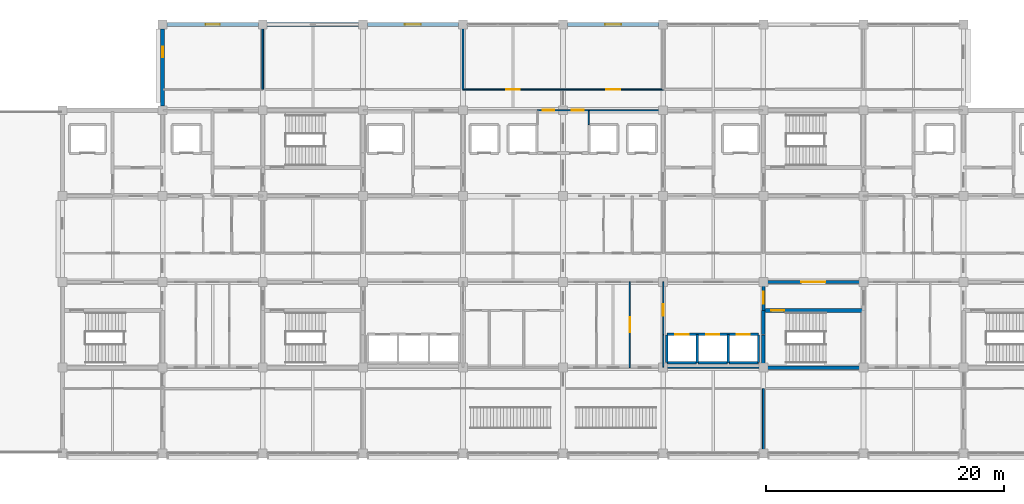
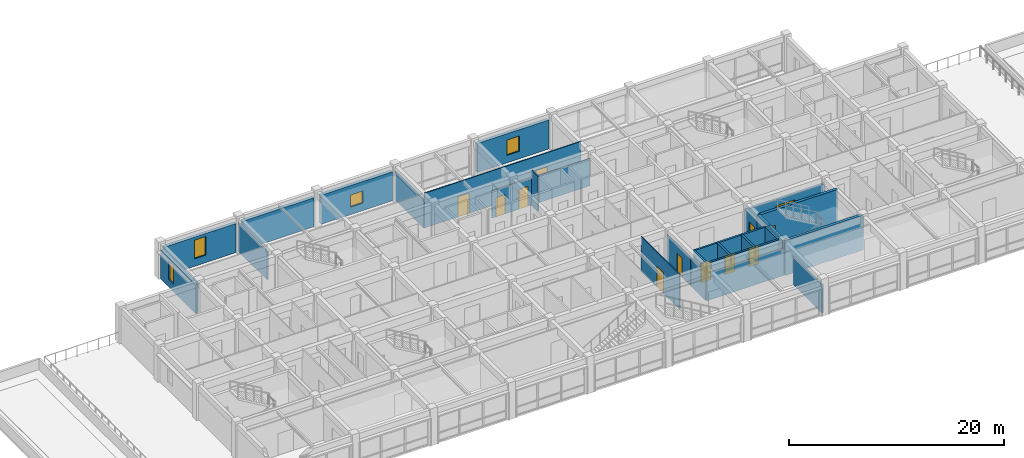
# One storey, part 19 of 27: 30 walls, 12 doors, 4 windows, 16 openings.
"""IFC4 building model written with IfcOpenShell, lengths in metres."""

from ifc_helpers import new_model, si_unit, direction, frame, frame_2d, origin, place, context, subcontext, project, spatial, rectangle, extrude, material, layer, layer_set, type_object, element, fill, save


model = new_model("IFC4")

# Units and contexts
model_context = context("Model", 3, precision=1e-05, world=origin(), true_north=direction((0.0, 1.0)))
body_context = subcontext(model_context, "Body", "Model", "MODEL_VIEW")
ifc_project = project(units=[si_unit("LENGTHUNIT", "METRE"), si_unit("AREAUNIT", "SQUARE_METRE"), si_unit("VOLUMEUNIT", "CUBIC_METRE"), si_unit("PLANEANGLEUNIT", "RADIAN"), si_unit("MASSUNIT", "GRAM", prefix="KILO")], contexts=[model_context])

# Site, building, storey
site_placement = place(None, origin())
site = spatial("IfcSite", under=ifc_project, at=site_placement, CompositionType="ELEMENT")
building_placement = place(site_placement, origin())
building = spatial("IfcBuilding", under=site, at=building_placement, Name="Chengyuan Square Courthouse", CompositionType="ELEMENT")
storey_placement = place(building_placement, frame((0.0, 0.0, 35.10009765625)))
storey = spatial("IfcBuildingStorey", under=building, at=storey_placement, Name="L08", CompositionType="ELEMENT", Elevation=35.10009765625)

# Wall, opening, window
ifc_material_1 = material(Name="Concrete C40", Category="concrete")
ifc_layer_1 = layer(ifc_material_1, 0.35009765625)
ifc_layer_set_1 = layer_set([ifc_layer_1], Name="Concrete C40")
wall_type_1 = type_object("IfcWallType", Name="WL-EW2", PredefinedType="STANDARD", material=ifc_layer_set_1)
wall_1_placement = place(storey_placement, frame((50.77001953125, 115.199951171875, 0.0), z_axis=(0.0, 0.0, 1.0), x_axis=(1.0, 0.0, 0.0)))
wall_1 = element("IfcWall", 1, at=wall_1_placement, inside=storey, type_object=wall_type_1, Name="Exterior Wall WL-L08-E400", PredefinedType="STANDARD", context=body_context, shape_type="SweptSolid", body=[
    extrude(rectangle(XDim=7.659912109375, YDim=0.35009765625, at=frame_2d((3.830078125, 0.0))), origin(), (0.0, 0.0, 1.0), 3.2998046875),
])
opening_1_placement = place(wall_1_placement, frame((3.22998046875, 0.0, 0.85009765625)))
opening_1 = element("IfcOpeningElement", 2, at=opening_1_placement, cuts=wall_1, Name="Opening WN-154", PredefinedType="OPENING", context=body_context, shape_type="SweptSolid", body=[
    extrude(rectangle(XDim=1.199951171875, YDim=2.1201171875, at=frame_2d((0.60009765625, 1.06005859375))), frame((0.0, 0.18701171875, 0.0), z_axis=(0.0, -1.0, 0.0), x_axis=(1.0, 0.0, 0.0)), (0.0, 0.0, 1.0), 0.3740234375),
])
ifc_material_2 = material(Name="Thermally Broken Aluminium Triple Low-E Window", Category="aluminium")
window_type_1 = type_object("IfcWindowType", Name="WT-18", PartitioningType="SINGLE_PANEL", PredefinedType="WINDOW", material=ifc_material_2)
window_1_placement = place(opening_1_placement, origin())
window_1 = element("IfcWindow", 3, at=window_1_placement, inside=storey, type_object=window_type_1, Name="Facade Window WN-154", OverallHeight=2.1201171875, OverallWidth=1.199951171875, PartitioningType="SINGLE_PANEL", PredefinedType="WINDOW", context=body_context, shape_type="SweptSolid", body=[
    extrude(rectangle(XDim=1.199951171875, YDim=2.1201171875, at=frame_2d((0.60009765625, 1.06005859375))), frame((0.0, 0.030029296875, 0.0), z_axis=(0.0, -1.0, 0.0), x_axis=(1.0, 0.0, 0.0)), (0.0, 0.0, 1.0), 0.06005859375),
])
fill(opening_1, window_1)

wall_2_placement = place(storey_placement, frame((50.39990234375, 108.3701171875, 0.0), z_axis=(0.0, 0.0, 1.0), x_axis=(0.0, 1.0, 0.0)))
wall_2 = element("IfcWall", 4, at=wall_2_placement, inside=storey, type_object=wall_type_1, Name="Exterior Wall WL-L08-E401", PredefinedType="STANDARD", context=body_context, shape_type="SweptSolid", body=[
    extrude(rectangle(XDim=6.4599609375, YDim=0.35009765625, at=frame_2d((3.22998046875, 0.0))), origin(), (0.0, 0.0, 1.0), 3.2998046875),
])
opening_2_placement = place(wall_2_placement, frame((4.080078125, 0.0, 0.85009765625)))
opening_2 = element("IfcOpeningElement", 5, at=opening_2_placement, cuts=wall_2, Name="Opening WN-155", PredefinedType="OPENING", context=body_context, shape_type="SweptSolid", body=[
    extrude(rectangle(XDim=0.89990234375, YDim=2.1201171875, at=frame_2d((0.449951171875, 1.06005859375))), frame((0.0, 0.18701171875, 0.0), z_axis=(0.0, -1.0, 0.0), x_axis=(1.0, 0.0, 0.0)), (0.0, 0.0, 1.0), 0.3740234375),
])
window_type_2 = type_object("IfcWindowType", Name="WT-06", PartitioningType="SINGLE_PANEL", PredefinedType="WINDOW", material=ifc_material_2)
window_2_placement = place(opening_2_placement, origin())
window_2 = element("IfcWindow", 6, at=window_2_placement, inside=storey, type_object=window_type_2, Name="Facade Window WN-155", OverallHeight=2.1201171875, OverallWidth=0.89990234375, PartitioningType="SINGLE_PANEL", PredefinedType="WINDOW", context=body_context, shape_type="SweptSolid", body=[
    extrude(rectangle(XDim=0.89990234375, YDim=2.1201171875, at=frame_2d((0.449951171875, 1.06005859375))), frame((0.0, 0.030029296875, 0.0), z_axis=(0.0, -1.0, 0.0), x_axis=(1.0, 0.0, 0.0)), (0.0, 0.0, 1.0), 0.06005859375),
])
fill(opening_2, window_2)

# Wall
wall_3_placement = place(storey_placement, frame((59.169921875, 115.199951171875, 0.0), z_axis=(0.0, 0.0, 1.0), x_axis=(1.0, 0.0, 0.0)))
element("IfcWall", 7, at=wall_3_placement, inside=storey, type_object=wall_type_1, Name="Exterior Wall WL-L08-E402", PredefinedType="STANDARD", context=body_context, shape_type="SweptSolid", body=[
    extrude(rectangle(XDim=7.66015625, YDim=0.35009765625, at=frame_2d((3.830078125, 0.0))), origin(), (0.0, 0.0, 1.0), 3.2998046875),
])

# Wall, opening, window
wall_4_placement = place(storey_placement, frame((67.570068359375, 115.199951171875, 0.0), z_axis=(0.0, 0.0, 1.0), x_axis=(1.0, 0.0, 0.0)))
wall_4 = element("IfcWall", 8, at=wall_4_placement, inside=storey, type_object=wall_type_1, Name="Exterior Wall WL-L08-E403", PredefinedType="STANDARD", context=body_context, shape_type="SweptSolid", body=[
    extrude(rectangle(XDim=7.659912109375, YDim=0.35009765625, at=frame_2d((3.830078125, 0.0))), origin(), (0.0, 0.0, 1.0), 3.2998046875),
])
opening_3_placement = place(wall_4_placement, frame((3.155029296875, 0.0, 0.85009765625)))
opening_3 = element("IfcOpeningElement", 9, at=opening_3_placement, cuts=wall_4, Name="Opening WN-156", PredefinedType="OPENING", context=body_context, shape_type="SweptSolid", body=[
    extrude(rectangle(XDim=1.35009765625, YDim=1.3798828125, at=frame_2d((0.675048828125, 0.68994140625))), frame((0.0, 0.18701171875, 0.0), z_axis=(0.0, -1.0, 0.0), x_axis=(1.0, 0.0, 0.0)), (0.0, 0.0, 1.0), 0.3740234375),
])
window_type_3 = type_object("IfcWindowType", Name="WT-20", PartitioningType="SINGLE_PANEL", PredefinedType="WINDOW", material=ifc_material_2)
window_3_placement = place(opening_3_placement, origin())
window_3 = element("IfcWindow", 10, at=window_3_placement, inside=storey, type_object=window_type_3, Name="Facade Window WN-156", OverallHeight=1.3798828125, OverallWidth=1.35009765625, PartitioningType="SINGLE_PANEL", PredefinedType="WINDOW", context=body_context, shape_type="SweptSolid", body=[
    extrude(rectangle(XDim=1.35009765625, YDim=1.3798828125, at=frame_2d((0.675048828125, 0.68994140625))), frame((0.0, 0.030029296875, 0.0), z_axis=(0.0, -1.0, 0.0), x_axis=(1.0, 0.0, 0.0)), (0.0, 0.0, 1.0), 0.06005859375),
])
fill(opening_3, window_3)

wall_5_placement = place(storey_placement, frame((84.3701171875, 115.199951171875, 0.0), z_axis=(0.0, 0.0, 1.0), x_axis=(1.0, 0.0, 0.0)))
wall_5 = element("IfcWall", 11, at=wall_5_placement, inside=storey, type_object=wall_type_1, Name="Exterior Wall WL-L08-E404", PredefinedType="STANDARD", context=body_context, shape_type="SweptSolid", body=[
    extrude(rectangle(XDim=7.659912109375, YDim=0.35009765625, at=frame_2d((3.830078125, 0.0))), origin(), (0.0, 0.0, 1.0), 3.2998046875),
])
opening_4_placement = place(wall_5_placement, frame((3.155029296875, 0.0, 0.85009765625)))
opening_4 = element("IfcOpeningElement", 12, at=opening_4_placement, cuts=wall_5, Name="Opening WN-157", PredefinedType="OPENING", context=body_context, shape_type="SweptSolid", body=[
    extrude(rectangle(XDim=1.35009765625, YDim=1.739990234375, at=frame_2d((0.675048828125, 0.8701171875))), frame((0.0, 0.18701171875, 0.0), z_axis=(0.0, -1.0, 0.0), x_axis=(1.0, 0.0, 0.0)), (0.0, 0.0, 1.0), 0.3740234375),
])
window_type_4 = type_object("IfcWindowType", Name="WT-22", PartitioningType="SINGLE_PANEL", PredefinedType="WINDOW", material=ifc_material_2)
window_4_placement = place(opening_4_placement, origin())
window_4 = element("IfcWindow", 13, at=window_4_placement, inside=storey, type_object=window_type_4, Name="Facade Window WN-157", OverallHeight=1.739990234375, OverallWidth=1.35009765625, PartitioningType="SINGLE_PANEL", PredefinedType="WINDOW", context=body_context, shape_type="SweptSolid", body=[
    extrude(rectangle(XDim=1.35009765625, YDim=1.739990234375, at=frame_2d((0.675048828125, 0.8701171875))), frame((0.0, 0.030029296875, 0.0), z_axis=(0.0, -1.0, 0.0), x_axis=(1.0, 0.0, 0.0)), (0.0, 0.0, 1.0), 0.06005859375),
])
fill(opening_4, window_4)

# Wall, opening, door
ifc_layer_2 = layer(ifc_material_1, 0.25)
ifc_layer_set_2 = layer_set([ifc_layer_2], Name="Concrete C40")
wall_type_2 = type_object("IfcWallType", Name="WL-FW1", PredefinedType="STANDARD", material=ifc_layer_set_2)
wall_6_placement = place(storey_placement, frame((100.800048828125, 93.60009765625, 0.0), z_axis=(0.0, 0.0, 1.0), x_axis=(1.0, 0.0, 0.0)))
wall_6 = element("IfcWall", 14, at=wall_6_placement, inside=storey, type_object=wall_type_2, Name="Interior Wall WL-L08-I2905", PredefinedType="STANDARD", context=body_context, shape_type="SweptSolid", body=[
    extrude(rectangle(XDim=8.39990234375, YDim=0.25, at=frame_2d((4.199951171875, 0.0))), origin(), (0.0, 0.0, 1.0), 3.099853515625),
])
opening_5_placement = place(wall_6_placement, frame((3.199951171875, 0.0, 0.0)))
opening_5 = element("IfcOpeningElement", 15, at=opening_5_placement, cuts=wall_6, Name="Opening DR-2511", PredefinedType="OPENING", context=body_context, shape_type="SweptSolid", body=[
    extrude(rectangle(XDim=2.0, YDim=2.39990234375, at=frame_2d((1.0, 1.199951171875))), frame((0.0, 0.136962890625, 0.0), z_axis=(0.0, -1.0, 0.0), x_axis=(1.0, 0.0, 0.0)), (0.0, 0.0, 1.0), 0.27392578125),
])
ifc_material_3 = material(Name="Steel Q235B Glazed Fire Door", Category="steel")
door_type_1 = type_object("IfcDoorType", Name="DT-20", OperationType="DOUBLE_DOOR_SINGLE_SWING", PredefinedType="DOOR", material=ifc_material_3)
door_1_placement = place(opening_5_placement, frame((2.0, 0.0, 0.0), z_axis=(0.0, 0.0, 1.0), x_axis=(-1.0, 0.0, 0.0)))
door_1 = element("IfcDoor", 16, at=door_1_placement, inside=storey, type_object=door_type_1, Name="Interior Door DR-2511", OperationType="DOUBLE_DOOR_SINGLE_SWING", OverallHeight=2.39990234375, OverallWidth=2.0, PredefinedType="DOOR", context=body_context, shape_type="SweptSolid", body=[
    extrude(rectangle(XDim=2.0, YDim=2.39990234375, at=frame_2d((1.0, 1.199951171875))), frame((0.0, 0.02490234375, 0.0), z_axis=(0.0, -1.0, 0.0), x_axis=(1.0, 0.0, 0.0)), (0.0, 0.0, 1.0), 0.050048828125),
])
fill(opening_5, door_1)

wall_7_placement = place(storey_placement, frame((100.800048828125, 91.199951171875, 0.0), z_axis=(0.0, 0.0, 1.0), x_axis=(0.0, 1.0, 0.0)))
wall_7 = element("IfcWall", 17, at=wall_7_placement, inside=storey, type_object=wall_type_2, Name="Interior Wall WL-L08-I3057", PredefinedType="STANDARD", context=body_context, shape_type="SweptSolid", body=[
    extrude(rectangle(XDim=2.400146484375, YDim=0.25, at=frame_2d((1.2001953125, 0.0))), origin(), (0.0, 0.0, 1.0), 3.199951171875),
])
opening_6_placement = place(wall_7_placement, frame((0.552490234375, 0.0, 0.0)))
opening_6 = element("IfcOpeningElement", 18, at=opening_6_placement, cuts=wall_7, Name="Opening DR-2510", PredefinedType="OPENING", context=body_context, shape_type="SweptSolid", body=[
    extrude(rectangle(XDim=1.0, YDim=2.199951171875, at=frame_2d((0.5, 1.10009765625))), frame((0.0, 0.136962890625, 0.0), z_axis=(0.0, -1.0, 0.0), x_axis=(1.0, 0.0, 0.0)), (0.0, 0.0, 1.0), 0.27392578125),
])
ifc_material_4 = material(Name="Steel Q235B Fire Door", Category="steel")
door_type_2 = type_object("IfcDoorType", Name="DT-11", OperationType="NOTDEFINED", PredefinedType="DOOR", material=ifc_material_4)
door_2_placement = place(opening_6_placement, origin())
door_2 = element("IfcDoor", 19, at=door_2_placement, inside=storey, type_object=door_type_2, Name="Interior Door DR-2510", OperationType="SINGLE_SWING_LEFT", OverallHeight=2.199951171875, OverallWidth=1.0, PredefinedType="DOOR", context=body_context, shape_type="SweptSolid", body=[
    extrude(rectangle(XDim=1.0, YDim=2.199951171875, at=frame_2d((0.5, 1.10009765625))), frame((0.0, 0.02490234375, 0.0), z_axis=(0.0, -1.0, 0.0), x_axis=(1.0, 0.0, 0.0)), (0.0, 0.0, 1.0), 0.050048828125),
])
fill(opening_6, door_2)

# Walls
ifc_material_5 = material(Name="Acoustic Timber-Lined Gypsum Partition", Category="wood")
ifc_layer_3 = layer(ifc_material_5, 0.159912109375)
ifc_layer_set_3 = layer_set([ifc_layer_3], Name="Acoustic Timber-Lined Gypsum Partition")
wall_type_3 = type_object("IfcWallType", Name="WL-PT2", PredefinedType="STANDARD", material=ifc_layer_set_3)
for number, where, z_axis, x_axis, name in (
    (20, (58.800048828125, 109.75, 0.0), (0.0, 0.0, 1.0), (0.0, 1.0, 0.0), "Interior Wall WL-L08-I2999"),
    (21, (75.60009765625, 109.75, 0.0), (0.0, 0.0, 1.0), (0.0, 1.0, 0.0), "Interior Wall WL-L08-I3022"),
    (22, (100.800048828125, 79.239990234375, 0.0), (0.0, 0.0, 1.0), (0.0, 1.0, 0.0), "Interior Wall WL-L08-I3054"),
):
    element("IfcWall", number, at=place(storey_placement, frame(where, z_axis=z_axis, x_axis=x_axis)), inside=storey, type_object=wall_type_3, Name=name, PredefinedType="STANDARD", context=body_context, shape_type="SweptSolid", body=[
        extrude(rectangle(XDim=5.409912109375, YDim=0.159912109375, at=frame_2d((2.705078125, 0.0))), origin(), (0.0, 0.0, 1.0), 3.199951171875),
    ])
ifc_material_6 = material(Name="Gypsum Plasterboard Acoustic Stud Partition")
ifc_layer_4 = layer(ifc_material_6, 0.10009765625)
ifc_layer_set_4 = layer_set([ifc_layer_4], Name="Gypsum Plasterboard Acoustic Stud Partition")
wall_type_4 = type_object("IfcWallType", Name="WL-PT6", PredefinedType="STANDARD", material=ifc_layer_set_4)
wall_8_placement = place(storey_placement, frame((92.449951171875, 86.39990234375, 0.0), z_axis=(0.0, 0.0, 1.0), x_axis=(1.0, 0.0, 0.0)))
element("IfcWall", 23, at=wall_8_placement, inside=storey, type_object=wall_type_4, Name="Interior Wall WL-L08-I2884", PredefinedType="STANDARD", context=body_context, shape_type="SweptSolid", body=[
    extrude(rectangle(XDim=8.300048828125, YDim=0.10009765625, at=frame_2d((4.14990234375, 0.0))), origin(), (0.0, 0.0, 1.0), 3.099853515625),
])

# Wall, openings, doors
wall_9_placement = place(storey_placement, frame((81.85009765625, 108.0, 0.0), z_axis=(0.0, 0.0, 1.0), x_axis=(1.0, 0.0, 0.0)))
wall_9 = element("IfcWall", 24, at=wall_9_placement, inside=storey, type_object=wall_type_4, Name="Interior Wall WL-L08-I2966", PredefinedType="STANDARD", context=body_context, shape_type="SweptSolid", body=[
    extrude(rectangle(XDim=4.2998046875, YDim=0.10009765625, at=frame_2d((2.14990234375, 0.0))), origin(), (0.0, 0.0, 1.0), 3.099853515625),
])
opening_7_placement = place(wall_9_placement, frame((0.447509765625, 0.0, 0.0)))
opening_7 = element("IfcOpeningElement", 25, at=opening_7_placement, cuts=wall_9, Name="Opening DR-2613", PredefinedType="OPENING", context=body_context, shape_type="SweptSolid", body=[
    extrude(rectangle(XDim=0.9599609375, YDim=2.199951171875, at=frame_2d((0.47998046875, 1.10009765625))), frame((0.0, 0.06201171875, 0.0), z_axis=(0.0, -1.0, 0.0), x_axis=(1.0, 0.0, 0.0)), (0.0, 0.0, 1.0), 0.1240234375),
])
opening_8_placement = place(wall_9_placement, frame((2.87255859375, 0.0, 0.0)))
opening_8 = element("IfcOpeningElement", 26, at=opening_8_placement, cuts=wall_9, Name="Opening DR-2614", PredefinedType="OPENING", context=body_context, shape_type="SweptSolid", body=[
    extrude(rectangle(XDim=1.0, YDim=2.25, at=frame_2d((0.5, 1.125))), frame((0.0, 0.06201171875, 0.0), z_axis=(0.0, -1.0, 0.0), x_axis=(1.0, 0.0, 0.0)), (0.0, 0.0, 1.0), 0.1240234375),
])
ifc_material_7 = material(Name="Acoustic Solid-Core Timber Door", Category="wood")
door_type_3 = type_object("IfcDoorType", Name="DT-30", OperationType="NOTDEFINED", PredefinedType="DOOR", material=ifc_material_7)
door_3_placement = place(opening_7_placement, origin())
door_3 = element("IfcDoor", 27, at=door_3_placement, inside=storey, type_object=door_type_3, Name="Interior Door DR-2613", OperationType="SINGLE_SWING_RIGHT", OverallHeight=2.199951171875, OverallWidth=0.9599609375, PredefinedType="DOOR", context=body_context, shape_type="SweptSolid", body=[
    extrude(rectangle(XDim=0.9599609375, YDim=2.199951171875, at=frame_2d((0.47998046875, 1.10009765625))), frame((0.0, 0.02490234375, 0.0), z_axis=(0.0, -1.0, 0.0), x_axis=(1.0, 0.0, 0.0)), (0.0, 0.0, 1.0), 0.050048828125),
])
fill(opening_7, door_3)
door_type_4 = type_object("IfcDoorType", Name="DT-31", OperationType="NOTDEFINED", PredefinedType="DOOR", material=ifc_material_7)
door_4_placement = place(opening_8_placement, origin())
door_4 = element("IfcDoor", 28, at=door_4_placement, inside=storey, type_object=door_type_4, Name="Interior Door DR-2614", OperationType="SINGLE_SWING_LEFT", OverallHeight=2.25, OverallWidth=1.0, PredefinedType="DOOR", context=body_context, shape_type="SweptSolid", body=[
    extrude(rectangle(XDim=1.0, YDim=2.25, at=frame_2d((0.5, 1.125))), frame((0.0, 0.02490234375, 0.0), z_axis=(0.0, -1.0, 0.0), x_axis=(1.0, 0.0, 0.0)), (0.0, 0.0, 1.0), 0.050048828125),
])
fill(opening_8, door_4)

# Wall
wall_10_placement = place(storey_placement, frame((86.199951171875, 108.0, 0.0), z_axis=(0.0, 0.0, 1.0), x_axis=(1.0, 0.0, 0.0)))
element("IfcWall", 29, at=wall_10_placement, inside=storey, type_object=wall_type_4, Name="Interior Wall WL-L08-I2967", PredefinedType="STANDARD", context=body_context, shape_type="SweptSolid", body=[
    extrude(rectangle(XDim=6.150146484375, YDim=0.10009765625, at=frame_2d((3.0751953125, 0.0))), origin(), (0.0, 0.0, 1.0), 3.099853515625),
])

# Wall, openings, doors
wall_11_placement = place(storey_placement, frame((75.60009765625, 109.75, 0.0), z_axis=(0.0, 0.0, 1.0), x_axis=(1.0, 0.0, 0.0)))
wall_11 = element("IfcWall", 30, at=wall_11_placement, inside=storey, type_object=wall_type_4, Name="Interior Wall WL-L08-I2975", PredefinedType="STANDARD", context=body_context, shape_type="SweptSolid", body=[
    extrude(rectangle(XDim=16.7998046875, YDim=0.10009765625, at=frame_2d((8.39990234375, 0.0))), origin(), (0.0, 0.0, 1.0), 3.949951171875),
])
opening_9_placement = place(wall_11_placement, frame((3.6201171875, 0.0, 0.0)))
opening_9 = element("IfcOpeningElement", 31, at=opening_9_placement, cuts=wall_11, Name="Opening DR-2618", PredefinedType="OPENING", context=body_context, shape_type="SweptSolid", body=[
    extrude(rectangle(XDim=1.159912109375, YDim=2.300048828125, at=frame_2d((0.580078125, 1.14990234375))), frame((0.0, 0.06201171875, 0.0), z_axis=(0.0, -1.0, 0.0), x_axis=(1.0, 0.0, 0.0)), (0.0, 0.0, 1.0), 0.1240234375),
])
opening_10_placement = place(wall_11_placement, frame((12.0, 0.0, 0.0)))
opening_10 = element("IfcOpeningElement", 32, at=opening_10_placement, cuts=wall_11, Name="Opening DR-2619", PredefinedType="OPENING", context=body_context, shape_type="SweptSolid", body=[
    extrude(rectangle(XDim=1.199951171875, YDim=2.35009765625, at=frame_2d((0.60009765625, 1.175048828125))), frame((0.0, 0.06201171875, 0.0), z_axis=(0.0, -1.0, 0.0), x_axis=(1.0, 0.0, 0.0)), (0.0, 0.0, 1.0), 0.1240234375),
])
door_type_5 = type_object("IfcDoorType", Name="DT-35", OperationType="NOTDEFINED", PredefinedType="DOOR", material=ifc_material_7)
door_5_placement = place(opening_9_placement, origin())
door_5 = element("IfcDoor", 33, at=door_5_placement, inside=storey, type_object=door_type_5, Name="Interior Door DR-2618", OperationType="SINGLE_SWING_RIGHT", OverallHeight=2.300048828125, OverallWidth=1.159912109375, PredefinedType="DOOR", context=body_context, shape_type="SweptSolid", body=[
    extrude(rectangle(XDim=1.159912109375, YDim=2.300048828125, at=frame_2d((0.580078125, 1.14990234375))), frame((0.0, 0.02490234375, 0.0), z_axis=(0.0, -1.0, 0.0), x_axis=(1.0, 0.0, 0.0)), (0.0, 0.0, 1.0), 0.050048828125),
])
fill(opening_9, door_5)
door_type_6 = type_object("IfcDoorType", Name="DT-36", OperationType="NOTDEFINED", PredefinedType="DOOR", material=ifc_material_7)
door_6_placement = place(opening_10_placement, origin())
door_6 = element("IfcDoor", 34, at=door_6_placement, inside=storey, type_object=door_type_6, Name="Interior Door DR-2619", OperationType="SINGLE_SWING_LEFT", OverallHeight=2.35009765625, OverallWidth=1.199951171875, PredefinedType="DOOR", context=body_context, shape_type="SweptSolid", body=[
    extrude(rectangle(XDim=1.199951171875, YDim=2.35009765625, at=frame_2d((0.60009765625, 1.175048828125))), frame((0.0, 0.02490234375, 0.0), z_axis=(0.0, -1.0, 0.0), x_axis=(1.0, 0.0, 0.0)), (0.0, 0.0, 1.0), 0.050048828125),
])
fill(opening_10, door_6)

# Wall
wall_12_placement = place(storey_placement, frame((86.14990234375, 106.800048828125, 0.0), z_axis=(0.0, 0.0, 1.0), x_axis=(0.0, 1.0, 0.0)))
element("IfcWall", 35, at=wall_12_placement, inside=storey, type_object=wall_type_4, Name="Interior Wall WL-L08-I3031", PredefinedType="STANDARD", context=body_context, shape_type="SweptSolid", body=[
    extrude(rectangle(XDim=1.14990234375, YDim=0.10009765625, at=frame_2d((0.574951171875, 0.0))), origin(), (0.0, 0.0, 1.0), 3.949951171875),
])

# Wall, opening, door
wall_13_placement = place(storey_placement, frame((89.60009765625, 86.39990234375, 0.0), z_axis=(0.0, 0.0, 1.0), x_axis=(0.0, 1.0, 0.0)))
wall_13 = element("IfcWall", 36, at=wall_13_placement, inside=storey, type_object=wall_type_4, Name="Interior Wall WL-L08-I3037", PredefinedType="STANDARD", context=body_context, shape_type="SweptSolid", body=[
    extrude(rectangle(XDim=7.2001953125, YDim=0.10009765625, at=frame_2d((3.60009765625, 0.0))), origin(), (0.0, 0.0, 1.0), 3.949951171875),
])
opening_11_placement = place(wall_13_placement, frame((2.9599609375, 0.0, 0.0)))
opening_11 = element("IfcOpeningElement", 37, at=opening_11_placement, cuts=wall_13, Name="Opening DR-2604", PredefinedType="OPENING", context=body_context, shape_type="SweptSolid", body=[
    extrude(rectangle(XDim=1.280029296875, YDim=2.35009765625, at=frame_2d((0.64013671875, 1.175048828125))), frame((0.0, 0.06201171875, 0.0), z_axis=(0.0, -1.0, 0.0), x_axis=(1.0, 0.0, 0.0)), (0.0, 0.0, 1.0), 0.1240234375),
])
door_type_7 = type_object("IfcDoorType", Name="DT-38", OperationType="NOTDEFINED", PredefinedType="DOOR", material=ifc_material_7)
door_7_placement = place(opening_11_placement, origin())
door_7 = element("IfcDoor", 38, at=door_7_placement, inside=storey, type_object=door_type_7, Name="Interior Door DR-2604", OperationType="SINGLE_SWING_RIGHT", OverallHeight=2.35009765625, OverallWidth=1.280029296875, PredefinedType="DOOR", context=body_context, shape_type="SweptSolid", body=[
    extrude(rectangle(XDim=1.280029296875, YDim=2.35009765625, at=frame_2d((0.64013671875, 1.175048828125))), frame((0.0, 0.02490234375, 0.0), z_axis=(0.0, -1.0, 0.0), x_axis=(1.0, 0.0, 0.0)), (0.0, 0.0, 1.0), 0.050048828125),
])
fill(opening_11, door_7)

# Wall
wall_14_placement = place(storey_placement, frame((92.39990234375, 86.449951171875, 0.0), z_axis=(0.0, 0.0, 1.0), x_axis=(0.0, 1.0, 0.0)))
element("IfcWall", 39, at=wall_14_placement, inside=storey, type_object=wall_type_4, Name="Interior Wall WL-L08-I3040", PredefinedType="STANDARD", context=body_context, shape_type="SweptSolid", body=[
    extrude(rectangle(XDim=2.699951171875, YDim=0.10009765625, at=frame_2d((1.35009765625, 0.0))), origin(), (0.0, 0.0, 1.0), 3.199951171875),
])

# Wall, opening, door
wall_15_placement = place(storey_placement, frame((92.39990234375, 89.199951171875, 0.0), z_axis=(0.0, 0.0, 1.0), x_axis=(0.0, 1.0, 0.0)))
wall_15 = element("IfcWall", 40, at=wall_15_placement, inside=storey, type_object=wall_type_4, Name="Interior Wall WL-L08-I3041", PredefinedType="STANDARD", context=body_context, shape_type="SweptSolid", body=[
    extrude(rectangle(XDim=4.400146484375, YDim=0.10009765625, at=frame_2d((2.2001953125, 0.0))), origin(), (0.0, 0.0, 1.0), 3.199951171875),
])
opening_12_placement = place(wall_15_placement, frame((1.572509765625, 0.0, 0.0)))
opening_12 = element("IfcOpeningElement", 41, at=opening_12_placement, cuts=wall_15, Name="Opening DR-2545", PredefinedType="OPENING", context=body_context, shape_type="SweptSolid", body=[
    extrude(rectangle(XDim=0.9599609375, YDim=2.199951171875, at=frame_2d((0.47998046875, 1.10009765625))), frame((0.0, 0.06201171875, 0.0), z_axis=(0.0, -1.0, 0.0), x_axis=(1.0, 0.0, 0.0)), (0.0, 0.0, 1.0), 0.1240234375),
])
door_8_placement = place(opening_12_placement, origin())
door_8 = element("IfcDoor", 42, at=door_8_placement, inside=storey, type_object=door_type_3, Name="Interior Door DR-2545", OperationType="SINGLE_SWING_RIGHT", OverallHeight=2.199951171875, OverallWidth=0.9599609375, PredefinedType="DOOR", context=body_context, shape_type="SweptSolid", body=[
    extrude(rectangle(XDim=0.9599609375, YDim=2.199951171875, at=frame_2d((0.47998046875, 1.10009765625))), frame((0.0, 0.02490234375, 0.0), z_axis=(0.0, -1.0, 0.0), x_axis=(1.0, 0.0, 0.0)), (0.0, 0.0, 1.0), 0.050048828125),
])
fill(opening_12, door_8)

# Walls
ifc_material_8 = material(Name="Reinforced Masonry Shaft Enclosure", Category="masonry")
ifc_layer_5 = layer(ifc_material_8, 0.199951171875)
ifc_layer_set_5 = layer_set([ifc_layer_5], Name="Reinforced Masonry Shaft Enclosure")
wall_type_5 = type_object("IfcWallType", Name="WL-SH1", PredefinedType="STANDARD", material=ifc_layer_set_5)
for number, where, z_axis, x_axis, name in (
    (43, (92.699951171875, 86.800048828125, 0.0), (0.0, 0.0, 1.0), (1.0, 0.0, 0.0), "Interior Wall WL-L08-I2891"),
    (44, (95.300048828125, 86.800048828125, 0.0), (0.0, 0.0, 1.0), (1.0, 0.0, 0.0), "Interior Wall WL-L08-I2892"),
    (45, (97.89990234375, 86.800048828125, 0.0), (0.0, 0.0, 1.0), (1.0, 0.0, 0.0), "Interior Wall WL-L08-I2893"),
):
    element("IfcWall", number, at=place(storey_placement, frame(where, z_axis=z_axis, x_axis=x_axis)), inside=storey, type_object=wall_type_5, Name=name, PredefinedType="STANDARD", context=body_context, shape_type="SweptSolid", body=[
        extrude(rectangle(XDim=2.5, YDim=0.199951171875, at=frame_2d((1.25, 0.0))), origin(), (0.0, 0.0, 1.0), 3.949951171875),
    ])

# Wall, openings, doors
wall_16_placement = place(storey_placement, frame((92.699951171875, 89.199951171875, 0.0), z_axis=(0.0, 0.0, 1.0), x_axis=(1.0, 0.0, 0.0)))
wall_16 = element("IfcWall", 46, at=wall_16_placement, inside=storey, type_object=wall_type_5, Name="Interior Wall WL-L08-I2895", PredefinedType="STANDARD", context=body_context, shape_type="SweptSolid", body=[
    extrude(rectangle(XDim=7.699951171875, YDim=0.199951171875, at=frame_2d((3.85009765625, 0.0))), origin(), (0.0, 0.0, 1.0), 3.949951171875),
])
opening_13_placement = place(wall_16_placement, frame((0.72509765625, 0.0, 0.0)))
opening_13 = element("IfcOpeningElement", 47, at=opening_13_placement, cuts=wall_16, Name="Opening LD-144", PredefinedType="OPENING", context=body_context, shape_type="SweptSolid", body=[
    extrude(rectangle(XDim=1.10009765625, YDim=2.14990234375, at=frame_2d((0.550048828125, 1.074951171875))), frame((0.0, 0.112060546875, 0.0), z_axis=(0.0, -1.0, 0.0), x_axis=(1.0, 0.0, 0.0)), (0.0, 0.0, 1.0), 0.223876953125),
])
opening_14_placement = place(wall_16_placement, frame((3.300048828125, 0.0, 0.0)))
opening_14 = element("IfcOpeningElement", 48, at=opening_14_placement, cuts=wall_16, Name="Opening LD-145", PredefinedType="OPENING", context=body_context, shape_type="SweptSolid", body=[
    extrude(rectangle(XDim=1.10009765625, YDim=2.14990234375, at=frame_2d((0.550048828125, 1.074951171875))), frame((0.0, 0.112060546875, 0.0), z_axis=(0.0, -1.0, 0.0), x_axis=(1.0, 0.0, 0.0)), (0.0, 0.0, 1.0), 0.223876953125),
])
opening_15_placement = place(wall_16_placement, frame((5.875, 0.0, 0.0)))
opening_15 = element("IfcOpeningElement", 49, at=opening_15_placement, cuts=wall_16, Name="Opening LD-146", PredefinedType="OPENING", context=body_context, shape_type="SweptSolid", body=[
    extrude(rectangle(XDim=1.10009765625, YDim=2.14990234375, at=frame_2d((0.550048828125, 1.074951171875))), frame((0.0, 0.112060546875, 0.0), z_axis=(0.0, -1.0, 0.0), x_axis=(1.0, 0.0, 0.0)), (0.0, 0.0, 1.0), 0.223876953125),
])
ifc_material_9 = material(Name="Stainless Steel S30408 Lift Landing Door", Category="steel")
door_type_8 = type_object("IfcDoorType", Name="DT-06", OperationType="DOUBLE_DOOR_SLIDING", PredefinedType="DOOR", material=ifc_material_9)
door_9_placement = place(opening_13_placement, origin())
door_9 = element("IfcDoor", 50, at=door_9_placement, inside=storey, type_object=door_type_8, Name="Lift Landing Door LF-P4 L08", OperationType="DOUBLE_DOOR_SLIDING", OverallHeight=2.14990234375, OverallWidth=1.10009765625, PredefinedType="DOOR", context=body_context, shape_type="SweptSolid", body=[
    extrude(rectangle(XDim=1.10009765625, YDim=2.14990234375, at=frame_2d((0.550048828125, 1.074951171875))), frame((0.0, 0.02490234375, 0.0), z_axis=(0.0, -1.0, 0.0), x_axis=(1.0, 0.0, 0.0)), (0.0, 0.0, 1.0), 0.050048828125),
])
fill(opening_13, door_9)
door_10_placement = place(opening_14_placement, origin())
door_10 = element("IfcDoor", 51, at=door_10_placement, inside=storey, type_object=door_type_8, Name="Lift Landing Door LF-P5 L08", OperationType="DOUBLE_DOOR_SLIDING", OverallHeight=2.14990234375, OverallWidth=1.10009765625, PredefinedType="DOOR", context=body_context, shape_type="SweptSolid", body=[
    extrude(rectangle(XDim=1.10009765625, YDim=2.14990234375, at=frame_2d((0.550048828125, 1.074951171875))), frame((0.0, 0.02490234375, 0.0), z_axis=(0.0, -1.0, 0.0), x_axis=(1.0, 0.0, 0.0)), (0.0, 0.0, 1.0), 0.050048828125),
])
fill(opening_14, door_10)
door_11_placement = place(opening_15_placement, origin())
door_11 = element("IfcDoor", 52, at=door_11_placement, inside=storey, type_object=door_type_8, Name="Lift Landing Door LF-P6 L08", OperationType="DOUBLE_DOOR_SLIDING", OverallHeight=2.14990234375, OverallWidth=1.10009765625, PredefinedType="DOOR", context=body_context, shape_type="SweptSolid", body=[
    extrude(rectangle(XDim=1.10009765625, YDim=2.14990234375, at=frame_2d((0.550048828125, 1.074951171875))), frame((0.0, 0.02490234375, 0.0), z_axis=(0.0, -1.0, 0.0), x_axis=(1.0, 0.0, 0.0)), (0.0, 0.0, 1.0), 0.050048828125),
])
fill(opening_15, door_11)

# Walls
wall_17_placement = place(storey_placement, frame((92.699951171875, 86.85009765625, 0.0), z_axis=(0.0, 0.0, 1.0), x_axis=(0.0, 1.0, 0.0)))
element("IfcWall", 53, at=wall_17_placement, inside=storey, type_object=wall_type_5, Name="Interior Wall WL-L08-I3046", PredefinedType="STANDARD", context=body_context, shape_type="SweptSolid", body=[
    extrude(rectangle(XDim=2.2998046875, YDim=0.199951171875, at=frame_2d((1.14990234375, 0.0))), origin(), (0.0, 0.0, 1.0), 3.949951171875),
])
for number, where, z_axis, x_axis, name in (
    (54, (95.25, 86.800048828125, 0.0), (0.0, 0.0, 1.0), (0.0, 1.0, 0.0), "Interior Wall WL-L08-I3047"),
    (55, (97.85009765625, 86.800048828125, 0.0), (0.0, 0.0, 1.0), (0.0, 1.0, 0.0), "Interior Wall WL-L08-I3051"),
):
    element("IfcWall", number, at=place(storey_placement, frame(where, z_axis=z_axis, x_axis=x_axis)), inside=storey, type_object=wall_type_5, Name=name, PredefinedType="STANDARD", context=body_context, shape_type="SweptSolid", body=[
        extrude(rectangle(XDim=2.39990234375, YDim=0.199951171875, at=frame_2d((1.199951171875, 0.0))), origin(), (0.0, 0.0, 1.0), 3.949951171875),
    ])
wall_18_placement = place(storey_placement, frame((100.39990234375, 86.85009765625, 0.0), z_axis=(0.0, 0.0, 1.0), x_axis=(0.0, 1.0, 0.0)))
element("IfcWall", 56, at=wall_18_placement, inside=storey, type_object=wall_type_5, Name="Interior Wall WL-L08-I3052", PredefinedType="STANDARD", context=body_context, shape_type="SweptSolid", body=[
    extrude(rectangle(XDim=2.2998046875, YDim=0.199951171875, at=frame_2d((1.14990234375, 0.0))), origin(), (0.0, 0.0, 1.0), 3.949951171875),
])
ifc_layer_6 = layer(ifc_material_1, 0.300048828125)
ifc_layer_set_6 = layer_set([ifc_layer_6], Name="Concrete C40")
wall_type_6 = type_object("IfcWallType", Name="WL-SW2", PredefinedType="SHEAR", material=ifc_layer_set_6)
wall_19_placement = place(storey_placement, frame((100.800048828125, 86.39990234375, 0.0), z_axis=(0.0, 0.0, 1.0), x_axis=(1.0, 0.0, 0.0)))
element("IfcWall", 57, at=wall_19_placement, inside=storey, type_object=wall_type_6, Name="Interior Wall WL-L08-I2885", PredefinedType="SHEAR", context=body_context, shape_type="SweptSolid", body=[
    extrude(rectangle(XDim=8.39990234375, YDim=0.300048828125, at=frame_2d((4.199951171875, 0.0))), origin(), (0.0, 0.0, 1.0), 3.949951171875),
])

# Wall, opening, door
wall_20_placement = place(storey_placement, frame((100.800048828125, 91.199951171875, 0.0), z_axis=(0.0, 0.0, 1.0), x_axis=(1.0, 0.0, 0.0)))
wall_20 = element("IfcWall", 58, at=wall_20_placement, inside=storey, type_object=wall_type_6, Name="Interior Wall WL-L08-I2899", PredefinedType="SHEAR", context=body_context, shape_type="SweptSolid", body=[
    extrude(rectangle(XDim=8.39990234375, YDim=0.300048828125, at=frame_2d((4.199951171875, 0.0))), origin(), (0.0, 0.0, 1.0), 3.949951171875),
])
opening_16_placement = place(wall_20_placement, frame((0.64990234375, 0.0, 0.0)))
opening_16 = element("IfcOpeningElement", 59, at=opening_16_placement, cuts=wall_20, Name="Opening DR-2498", PredefinedType="OPENING", context=body_context, shape_type="SweptSolid", body=[
    extrude(rectangle(XDim=1.10009765625, YDim=2.199951171875, at=frame_2d((0.550048828125, 1.10009765625))), frame((0.0, 0.162109375, 0.0), z_axis=(0.0, -1.0, 0.0), x_axis=(1.0, 0.0, 0.0)), (0.0, 0.0, 1.0), 0.323974609375),
])
door_type_9 = type_object("IfcDoorType", Name="DT-10", OperationType="NOTDEFINED", PredefinedType="DOOR", material=ifc_material_4)
door_12_placement = place(opening_16_placement, frame((1.10009765625, 0.0, 0.0), z_axis=(0.0, 0.0, 1.0), x_axis=(-1.0, 0.0, 0.0)))
door_12 = element("IfcDoor", 60, at=door_12_placement, inside=storey, type_object=door_type_9, Name="Smoke-Proof Stairwell Fire Door ST-4 DR-2498", OperationType="SINGLE_SWING_RIGHT", OverallHeight=2.199951171875, OverallWidth=1.10009765625, PredefinedType="DOOR", context=body_context, shape_type="SweptSolid", body=[
    extrude(rectangle(XDim=1.10009765625, YDim=2.199951171875, at=frame_2d((0.550048828125, 1.10009765625))), frame((0.0, 0.02490234375, 0.0), z_axis=(0.0, -1.0, 0.0), x_axis=(1.0, 0.0, 0.0)), (0.0, 0.0, 1.0), 0.050048828125),
])
fill(opening_16, door_12)

# Walls
wall_21_placement = place(storey_placement, frame((100.800048828125, 86.449951171875, 0.0), z_axis=(0.0, 0.0, 1.0), x_axis=(0.0, 1.0, 0.0)))
element("IfcWall", 61, at=wall_21_placement, inside=storey, type_object=wall_type_6, Name="Interior Wall WL-L08-I3055", PredefinedType="SHEAR", context=body_context, shape_type="SweptSolid", body=[
    extrude(rectangle(XDim=2.699951171875, YDim=0.300048828125, at=frame_2d((1.35009765625, 0.0))), origin(), (0.0, 0.0, 1.0), 3.949951171875),
])
wall_22_placement = place(storey_placement, frame((100.800048828125, 89.199951171875, 0.0), z_axis=(0.0, 0.0, 1.0), x_axis=(0.0, 1.0, 0.0)))
element("IfcWall", 62, at=wall_22_placement, inside=storey, type_object=wall_type_6, Name="Interior Wall WL-L08-I3056", PredefinedType="SHEAR", context=body_context, shape_type="SweptSolid", body=[
    extrude(rectangle(XDim=2.0, YDim=0.300048828125, at=frame_2d((1.0, 0.0))), origin(), (0.0, 0.0, 1.0), 3.949951171875),
])

save(model, "model.ifc")
